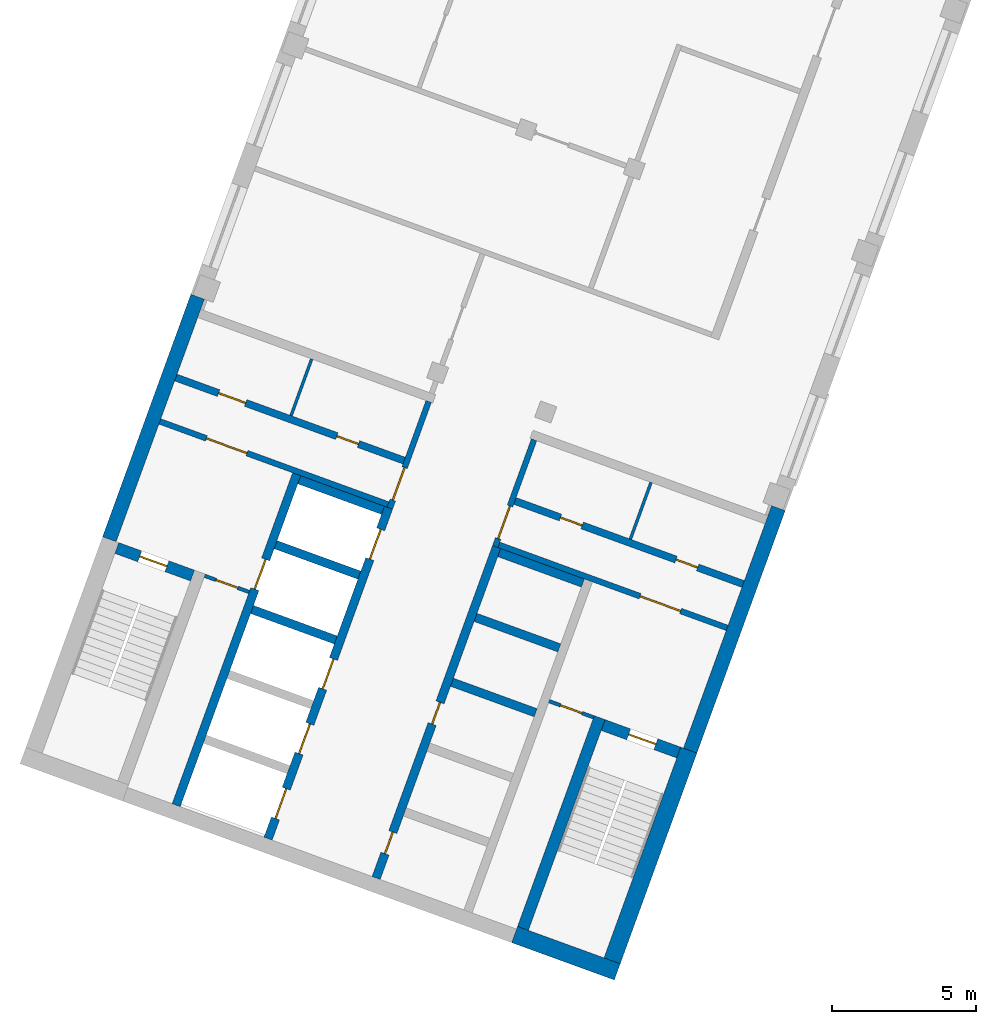
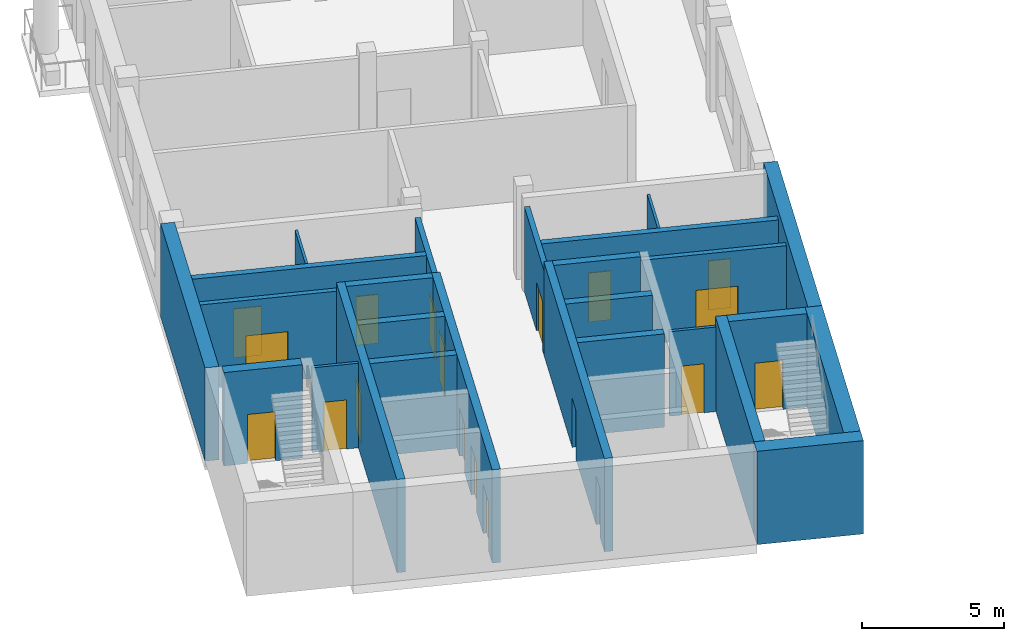
# One storey, part 2 of 10: 26 walls, 19 doors, 19 openings.
"""IFC4 building model written with IfcOpenShell, lengths in metres."""

from ifc_helpers import new_model, si_unit, direction, frame, frame_2d, origin, place, context, subcontext, project, spatial, rectangle, extrude, material, layer, layer_set, type_object, element, fill, save


model = new_model("IFC4")

# Units and contexts
model_context = context("Model", 3, precision=1e-05, world=origin(), true_north=direction((0.0, 1.0)))
body_context = subcontext(model_context, "Body", "Model", "MODEL_VIEW")
ifc_project = project(units=[si_unit("LENGTHUNIT", "METRE"), si_unit("AREAUNIT", "SQUARE_METRE"), si_unit("VOLUMEUNIT", "CUBIC_METRE"), si_unit("PLANEANGLEUNIT", "RADIAN"), si_unit("MASSUNIT", "GRAM", prefix="KILO")], contexts=[model_context])

# Site, building, storey
site_placement = place(None, origin())
site = spatial("IfcSite", under=ifc_project, at=site_placement, CompositionType="ELEMENT")
building_placement = place(site_placement, origin())
building = spatial("IfcBuilding", under=site, at=building_placement, Name="Skarvind Civic Tower", CompositionType="ELEMENT")
storey_placement = place(building_placement, frame((0.0, 0.0, 204.0)))
storey = spatial("IfcBuildingStorey", under=building, at=storey_placement, Name="L48", CompositionType="ELEMENT", Elevation=204.0)

# Wall, opening, door
ifc_material_1 = material(Name="Fire-rated masonry partition", Category="masonry")
ifc_layer_1 = layer(ifc_material_1, 0.199951171875)
ifc_layer_set_1 = layer_set([ifc_layer_1], Name="Core enclosure wall 200")
wall_type_1 = type_object("IfcWallType", Name="Core enclosure wall 200", PredefinedType="PARTITIONING", material=ifc_layer_set_1)
wall_1_placement = place(storey_placement, frame((31.42724609375, 93.663330078125, 0.0), z_axis=(0.0, 0.0, 1.0), x_axis=(0.342030870568, 0.93968871632, 0.0)))
wall_1 = element("IfcWall", 1, at=wall_1_placement, inside=storey, type_object=wall_type_1, Name="Core wall C2", PredefinedType="PARTITIONING", context=body_context, shape_type="SweptSolid", body=[
    extrude(rectangle(XDim=3.9501953125, YDim=0.199951171875, at=frame_2d((1.97509765625, 0.0))), origin(), (0.0, 0.0, 1.0), 3.625),
])
opening_1_placement = place(wall_1_placement, frame((0.300048828125, 0.0, 0.0)))
opening_1 = element("IfcOpeningElement", 2, at=opening_1_placement, cuts=wall_1, Name="Opening D-L48-C2-07", PredefinedType="OPENING", context=body_context, shape_type="SweptSolid", body=[
    extrude(rectangle(XDim=1.199951171875, YDim=2.10009765625, at=frame_2d((0.60009765625, 1.050048828125))), frame((0.0, 0.10986328125, 0.0), z_axis=(0.0, -1.0, 0.0), x_axis=(1.0, 0.0, 0.0)), (0.0, 0.0, 1.0), 0.219970703125),
])
ifc_material_2 = material(Name="Fire-rated steel door", Category="steel")
door_type_1 = type_object("IfcDoorType", Name="Core lobby door 1200", OperationType="NOTDEFINED", PredefinedType="DOOR", material=ifc_material_2)
door_1_placement = place(opening_1_placement, origin())
door_1 = element("IfcDoor", 3, at=door_1_placement, inside=storey, type_object=door_type_1, Name="Fire door", OperationType="DOUBLE_DOOR_SINGLE_SWING", OverallHeight=2.10009765625, OverallWidth=1.199951171875, PredefinedType="DOOR", context=body_context, shape_type="SweptSolid", body=[
    extrude(rectangle(XDim=1.199951171875, YDim=2.10009765625, at=frame_2d((0.60009765625, 1.050048828125))), frame((0.0, 0.02490234375, 0.0), z_axis=(0.0, -1.0, 0.0), x_axis=(1.0, 0.0, 0.0)), (0.0, 0.0, 1.0), 0.050048828125),
])
fill(opening_1, door_1)

wall_2_placement = place(storey_placement, frame((23.42724609375, 96.681640625, 0.0), z_axis=(0.0, 0.0, 1.0), x_axis=(0.939690465531, -0.342026064782, 0.0)))
wall_2 = element("IfcWall", 4, at=wall_2_placement, inside=storey, type_object=wall_type_1, Name="Core wall C2", PredefinedType="PARTITIONING", context=body_context, shape_type="SweptSolid", body=[
    extrude(rectangle(XDim=8.449951171875, YDim=0.199951171875, at=frame_2d((4.22509765625, 0.0))), origin(), (0.0, 0.0, 1.0), 3.625),
])
opening_2_placement = place(wall_2_placement, frame((1.72509765625, 0.0, 0.0)))
opening_2 = element("IfcOpeningElement", 5, at=opening_2_placement, cuts=wall_2, Name="Opening D-L48-C2-08", PredefinedType="OPENING", context=body_context, shape_type="SweptSolid", body=[
    extrude(rectangle(XDim=1.5, YDim=2.10009765625, at=frame_2d((0.75, 1.050048828125))), frame((0.0, 0.10986328125, 0.0), z_axis=(0.0, -1.0, 0.0), x_axis=(1.0, 0.0, 0.0)), (0.0, 0.0, 1.0), 0.219970703125),
])
door_type_2 = type_object("IfcDoorType", Name="Fire door 1500", OperationType="NOTDEFINED", PredefinedType="DOOR", material=ifc_material_2)
door_2_placement = place(opening_2_placement, origin())
door_2 = element("IfcDoor", 6, at=door_2_placement, inside=storey, type_object=door_type_2, Name="Fire door", OperationType="DOUBLE_DOOR_SINGLE_SWING", OverallHeight=2.10009765625, OverallWidth=1.5, PredefinedType="DOOR", context=body_context, shape_type="SweptSolid", body=[
    extrude(rectangle(XDim=1.5, YDim=2.10009765625, at=frame_2d((0.75, 1.050048828125))), frame((0.0, 0.02490234375, 0.0), z_axis=(0.0, -1.0, 0.0), x_axis=(1.0, 0.0, 0.0)), (0.0, 0.0, 1.0), 0.050048828125),
])
fill(opening_2, door_2)

wall_3_placement = place(storey_placement, frame((36.443115234375, 96.041259765625, 0.0), z_axis=(0.0, 0.0, 1.0), x_axis=(-0.341996156931, -0.939701350773, 0.0)))
wall_3 = element("IfcWall", 7, at=wall_3_placement, inside=storey, type_object=wall_type_1, Name="Core wall C2", PredefinedType="PARTITIONING", context=body_context, shape_type="SweptSolid", body=[
    extrude(rectangle(XDim=3.949951171875, YDim=0.199951171875, at=frame_2d((1.97509765625, 0.0))), origin(), (0.0, 0.0, 1.0), 3.625),
])
opening_3_placement = place(wall_3_placement, frame((2.449951171875, 0.0, 0.0)))
opening_3 = element("IfcOpeningElement", 8, at=opening_3_placement, cuts=wall_3, Name="Opening D-L48-C2-13", PredefinedType="OPENING", context=body_context, shape_type="SweptSolid", body=[
    extrude(rectangle(XDim=1.199951171875, YDim=2.10009765625, at=frame_2d((0.60009765625, 1.050048828125))), frame((0.0, 0.10986328125, 0.0), z_axis=(0.0, -1.0, 0.0), x_axis=(1.0, 0.0, 0.0)), (0.0, 0.0, 1.0), 0.219970703125),
])
door_3_placement = place(opening_3_placement, origin())
door_3 = element("IfcDoor", 9, at=door_3_placement, inside=storey, type_object=door_type_1, Name="Fire door", OperationType="DOUBLE_DOOR_SINGLE_SWING", OverallHeight=2.10009765625, OverallWidth=1.199951171875, PredefinedType="DOOR", context=body_context, shape_type="SweptSolid", body=[
    extrude(rectangle(XDim=1.199951171875, YDim=2.10009765625, at=frame_2d((0.60009765625, 1.050048828125))), frame((0.0, 0.02490234375, 0.0), z_axis=(0.0, -1.0, 0.0), x_axis=(1.0, 0.0, 0.0)), (0.0, 0.0, 1.0), 0.050048828125),
])
fill(opening_3, door_3)

wall_4_placement = place(storey_placement, frame((35.22021484375, 92.389404296875, 0.0), z_axis=(0.0, 0.0, 1.0), x_axis=(0.939690465531, -0.342026064782, 0.0)))
wall_4 = element("IfcWall", 10, at=wall_4_placement, inside=storey, type_object=wall_type_1, Name="Core wall C2", PredefinedType="PARTITIONING", context=body_context, shape_type="SweptSolid", body=[
    extrude(rectangle(XDim=8.449951171875, YDim=0.199951171875, at=frame_2d((4.22509765625, 0.0))), origin(), (0.0, 0.0, 1.0), 3.625),
])
opening_4_placement = place(wall_4_placement, frame((5.22509765625, 0.0, 0.0)))
opening_4 = element("IfcOpeningElement", 11, at=opening_4_placement, cuts=wall_4, Name="Opening D-L48-C2-14", PredefinedType="OPENING", context=body_context, shape_type="SweptSolid", body=[
    extrude(rectangle(XDim=1.5, YDim=2.10009765625, at=frame_2d((0.75, 1.050048828125))), frame((0.0, 0.10986328125, 0.0), z_axis=(0.0, -1.0, 0.0), x_axis=(1.0, 0.0, 0.0)), (0.0, 0.0, 1.0), 0.219970703125),
])
door_4_placement = place(opening_4_placement, origin())
door_4 = element("IfcDoor", 12, at=door_4_placement, inside=storey, type_object=door_type_2, Name="Fire door", OperationType="DOUBLE_DOOR_SINGLE_SWING", OverallHeight=2.10009765625, OverallWidth=1.5, PredefinedType="DOOR", context=body_context, shape_type="SweptSolid", body=[
    extrude(rectangle(XDim=1.5, YDim=2.10009765625, at=frame_2d((0.75, 1.050048828125))), frame((0.0, 0.02490234375, 0.0), z_axis=(0.0, -1.0, 0.0), x_axis=(1.0, 0.0, 0.0)), (0.0, 0.0, 1.0), 0.050048828125),
])
fill(opening_4, door_4)

# Walls
ifc_material_3 = material(Name="Fire-rated plasterboard partition")
ifc_layer_2 = layer(ifc_material_3, 0.10009765625)
ifc_layer_set_2 = layer_set([ifc_layer_2], Name="Core partition wall 100")
wall_type_2 = type_object("IfcWallType", Name="Core partition wall 100", PredefinedType="PARTITIONING", material=ifc_layer_set_2)
for number, where, z_axis, x_axis, name in (
    (13, (27.9912109375, 96.8828125, 0.0), (0.0, 0.0, 1.0), (0.342023078919, 0.939691552312, 0.0), "Core wall C2"),
    (14, (40.511962890625, 94.560302734375, 0.0), (0.0, 0.0, 1.0), (-0.342023078919, -0.939691552312, 0.0), "Core wall C2"),
):
    element("IfcWall", number, at=place(storey_placement, frame(where, z_axis=z_axis, x_axis=x_axis)), inside=storey, type_object=wall_type_2, Name=name, PredefinedType="PARTITIONING", context=body_context, shape_type="SweptSolid", body=[
        extrude(rectangle(XDim=2.10009765625, YDim=0.10009765625, at=frame_2d((1.050048828125, 0.0))), origin(), (0.0, 0.0, 1.0), 3.625),
    ])

# Wall, openings, doors
ifc_material_4 = material(Name="Concrete C60", Category="concrete")
ifc_layer_3 = layer(ifc_material_4, 0.300048828125)
ifc_layer_set_3 = layer_set([ifc_layer_3], Name="Core wall 300 C60")
wall_type_3 = type_object("IfcWallType", Name="Core wall 300 C60", PredefinedType="SHEAR", material=ifc_layer_set_3)
wall_5_placement = place(storey_placement, frame((30.949462890625, 80.80126953125, 0.0), z_axis=(0.0, 0.0, 1.0), x_axis=(0.342016684409, 0.939693879721, 0.0)))
wall_5 = element("IfcWall", 15, at=wall_5_placement, inside=storey, type_object=wall_type_3, Name="Core wall C2 south lift row front L48", PredefinedType="SHEAR", context=body_context, shape_type="SweptSolid", body=[
    extrude(rectangle(XDim=12.25, YDim=0.300048828125, at=frame_2d((6.125, 0.0))), origin(), (0.0, 0.0, 1.0), 4.0),
])
opening_5_placement = place(wall_5_placement, frame((0.89990234375, 0.0, 0.0)))
opening_5 = element("IfcOpeningElement", 16, at=opening_5_placement, cuts=wall_5, Name="Opening D-L48-C2-05", PredefinedType="OPENING", context=body_context, shape_type="SweptSolid", body=[
    extrude(rectangle(XDim=0.800048828125, YDim=2.10009765625, at=frame_2d((0.39990234375, 1.050048828125))), frame((0.0, 0.159912109375, 0.0), z_axis=(0.0, -1.0, 0.0), x_axis=(1.0, 0.0, 0.0)), (0.0, 0.0, 1.0), 0.320068359375),
])
opening_6_placement = place(wall_5_placement, frame((5.699951171875, 0.0, 0.0)))
opening_6 = element("IfcOpeningElement", 17, at=opening_6_placement, cuts=wall_5, Name="Opening D-L48-C2-06", PredefinedType="OPENING", context=body_context, shape_type="SweptSolid", body=[
    extrude(rectangle(XDim=0.800048828125, YDim=2.10009765625, at=frame_2d((0.39990234375, 1.050048828125))), frame((0.0, 0.159912109375, 0.0), z_axis=(0.0, -1.0, 0.0), x_axis=(1.0, 0.0, 0.0)), (0.0, 0.0, 1.0), 0.320068359375),
])
door_type_3 = type_object("IfcDoorType", Name="Core riser door 800", OperationType="NOTDEFINED", PredefinedType="DOOR", material=ifc_material_2)
door_5_placement = place(opening_5_placement, origin())
door_5 = element("IfcDoor", 18, at=door_5_placement, inside=storey, type_object=door_type_3, Name="Riser door", OperationType="SINGLE_SWING_LEFT", OverallHeight=2.10009765625, OverallWidth=0.800048828125, PredefinedType="DOOR", context=body_context, shape_type="SweptSolid", body=[
    extrude(rectangle(XDim=0.800048828125, YDim=2.10009765625, at=frame_2d((0.39990234375, 1.050048828125))), frame((0.0, 0.02490234375, 0.0), z_axis=(0.0, -1.0, 0.0), x_axis=(1.0, 0.0, 0.0)), (0.0, 0.0, 1.0), 0.050048828125),
])
fill(opening_5, door_5)
door_6_placement = place(opening_6_placement, origin())
door_6 = element("IfcDoor", 19, at=door_6_placement, inside=storey, type_object=door_type_3, Name="Riser door", OperationType="SINGLE_SWING_RIGHT", OverallHeight=2.10009765625, OverallWidth=0.800048828125, PredefinedType="DOOR", context=body_context, shape_type="SweptSolid", body=[
    extrude(rectangle(XDim=0.800048828125, YDim=2.10009765625, at=frame_2d((0.39990234375, 1.050048828125))), frame((0.0, 0.02490234375, 0.0), z_axis=(0.0, -1.0, 0.0), x_axis=(1.0, 0.0, 0.0)), (0.0, 0.0, 1.0), 0.050048828125),
])
fill(opening_6, door_6)

# Walls
for number, where, z_axis, x_axis, name in (
    (20, (36.500244140625, 86.54931640625, 0.0), (0.0, 0.0, 1.0), (-0.939689908313, 0.342027595692, 0.0), "Core wall C2 south lift row division 3 L48"),
    (21, (37.321044921875, 88.8046875, 0.0), (0.0, 0.0, 1.0), (-0.939689908313, 0.342027595692, 0.0), "Core wall C2 south lift row division 4 L48"),
    (22, (38.141845703125, 91.059814453125, 0.0), (0.0, 0.0, 1.0), (-0.939689908313, 0.342027595692, 0.0), "Core wall C2 south lift row division 5 L48"),
):
    element("IfcWall", number, at=place(storey_placement, frame(where, z_axis=z_axis, x_axis=x_axis)), inside=storey, type_object=wall_type_3, Name=name, PredefinedType="SHEAR", context=body_context, shape_type="SweptSolid", body=[
        extrude(rectangle(XDim=3.10009765625, YDim=0.300048828125, at=frame_2d((1.550048828125, 0.0))), origin(), (0.0, 0.0, 1.0), 4.0),
    ])

# Wall, openings, doors
wall_6_placement = place(storey_placement, frame((27.190673828125, 82.169189453125, 0.0), z_axis=(0.0, 0.0, 1.0), x_axis=(0.342016684409, 0.939693879721, 0.0)))
wall_6 = element("IfcWall", 23, at=wall_6_placement, inside=storey, type_object=wall_type_3, Name="Core wall C2 north lift row front L48", PredefinedType="SHEAR", context=body_context, shape_type="SweptSolid", body=[
    extrude(rectangle(XDim=12.25, YDim=0.300048828125, at=frame_2d((6.125, 0.0))), origin(), (0.0, 0.0, 1.0), 4.0),
])
opening_7_placement = place(wall_6_placement, frame((0.75, 0.0, 0.0)))
opening_7 = element("IfcOpeningElement", 24, at=opening_7_placement, cuts=wall_6, Name="Opening LD50201", PredefinedType="OPENING", context=body_context, shape_type="SweptSolid", body=[
    extrude(rectangle(XDim=1.10009765625, YDim=2.10009765625, at=frame_2d((0.550048828125, 1.050048828125))), frame((0.0, 0.159912109375, 0.0), z_axis=(0.0, -1.0, 0.0), x_axis=(1.0, 0.0, 0.0)), (0.0, 0.0, 1.0), 0.320068359375),
])
opening_8_placement = place(wall_6_placement, frame((3.14990234375, 0.0, 0.0)))
opening_8 = element("IfcOpeningElement", 25, at=opening_8_placement, cuts=wall_6, Name="Opening LD50202", PredefinedType="OPENING", context=body_context, shape_type="SweptSolid", body=[
    extrude(rectangle(XDim=1.10009765625, YDim=2.10009765625, at=frame_2d((0.550048828125, 1.050048828125))), frame((0.0, 0.159912109375, 0.0), z_axis=(0.0, -1.0, 0.0), x_axis=(1.0, 0.0, 0.0)), (0.0, 0.0, 1.0), 0.320068359375),
])
opening_9_placement = place(wall_6_placement, frame((5.550048828125, 0.0, 0.0)))
opening_9 = element("IfcOpeningElement", 26, at=opening_9_placement, cuts=wall_6, Name="Opening LD50203", PredefinedType="OPENING", context=body_context, shape_type="SweptSolid", body=[
    extrude(rectangle(XDim=1.10009765625, YDim=2.10009765625, at=frame_2d((0.550048828125, 1.050048828125))), frame((0.0, 0.159912109375, 0.0), z_axis=(0.0, -1.0, 0.0), x_axis=(1.0, 0.0, 0.0)), (0.0, 0.0, 1.0), 0.320068359375),
])
opening_10_placement = place(wall_6_placement, frame((10.35009765625, 0.0, 0.0)))
opening_10 = element("IfcOpeningElement", 27, at=opening_10_placement, cuts=wall_6, Name="Opening LD50205", PredefinedType="OPENING", context=body_context, shape_type="SweptSolid", body=[
    extrude(rectangle(XDim=1.10009765625, YDim=2.10009765625, at=frame_2d((0.550048828125, 1.050048828125))), frame((0.0, 0.159912109375, 0.0), z_axis=(0.0, -1.0, 0.0), x_axis=(1.0, 0.0, 0.0)), (0.0, 0.0, 1.0), 0.320068359375),
])
ifc_material_5 = material(Name="Stainless steel landing door", Category="steel")
door_type_4 = type_object("IfcDoorType", Name="Lift landing door 1100", OperationType="DOUBLE_DOOR_SLIDING", PredefinedType="DOOR", material=ifc_material_5)
door_7_placement = place(opening_7_placement, origin())
door_7 = element("IfcDoor", 28, at=door_7_placement, inside=storey, type_object=door_type_4, Name="Lift landing door", OperationType="DOUBLE_DOOR_SLIDING", OverallHeight=2.10009765625, OverallWidth=1.10009765625, PredefinedType="DOOR", context=body_context, shape_type="SweptSolid", body=[
    extrude(rectangle(XDim=1.10009765625, YDim=2.10009765625, at=frame_2d((0.550048828125, 1.050048828125))), frame((0.0, 0.02490234375, 0.0), z_axis=(0.0, -1.0, 0.0), x_axis=(1.0, 0.0, 0.0)), (0.0, 0.0, 1.0), 0.050048828125),
])
fill(opening_7, door_7)
door_8_placement = place(opening_8_placement, origin())
door_8 = element("IfcDoor", 29, at=door_8_placement, inside=storey, type_object=door_type_4, Name="Lift landing door", OperationType="DOUBLE_DOOR_SLIDING", OverallHeight=2.10009765625, OverallWidth=1.10009765625, PredefinedType="DOOR", context=body_context, shape_type="SweptSolid", body=[
    extrude(rectangle(XDim=1.10009765625, YDim=2.10009765625, at=frame_2d((0.550048828125, 1.050048828125))), frame((0.0, 0.02490234375, 0.0), z_axis=(0.0, -1.0, 0.0), x_axis=(1.0, 0.0, 0.0)), (0.0, 0.0, 1.0), 0.050048828125),
])
fill(opening_8, door_8)
door_9_placement = place(opening_9_placement, origin())
door_9 = element("IfcDoor", 30, at=door_9_placement, inside=storey, type_object=door_type_4, Name="Lift landing door", OperationType="DOUBLE_DOOR_SLIDING", OverallHeight=2.10009765625, OverallWidth=1.10009765625, PredefinedType="DOOR", context=body_context, shape_type="SweptSolid", body=[
    extrude(rectangle(XDim=1.10009765625, YDim=2.10009765625, at=frame_2d((0.550048828125, 1.050048828125))), frame((0.0, 0.02490234375, 0.0), z_axis=(0.0, -1.0, 0.0), x_axis=(1.0, 0.0, 0.0)), (0.0, 0.0, 1.0), 0.050048828125),
])
fill(opening_9, door_9)
door_10_placement = place(opening_10_placement, origin())
door_10 = element("IfcDoor", 31, at=door_10_placement, inside=storey, type_object=door_type_4, Name="Lift landing door", OperationType="DOUBLE_DOOR_SLIDING", OverallHeight=2.10009765625, OverallWidth=1.10009765625, PredefinedType="DOOR", context=body_context, shape_type="SweptSolid", body=[
    extrude(rectangle(XDim=1.10009765625, YDim=2.10009765625, at=frame_2d((0.550048828125, 1.050048828125))), frame((0.0, 0.02490234375, 0.0), z_axis=(0.0, -1.0, 0.0), x_axis=(1.0, 0.0, 0.0)), (0.0, 0.0, 1.0), 0.050048828125),
])
fill(opening_10, door_10)

# Wall, opening, door
wall_7_placement = place(storey_placement, frame((23.99560546875, 83.33203125, 0.0), z_axis=(0.0, 0.0, 1.0), x_axis=(0.342016684409, 0.939693879721, 0.0)))
wall_7 = element("IfcWall", 32, at=wall_7_placement, inside=storey, type_object=wall_type_3, Name="Core wall C2 north lift row back L48", PredefinedType="SHEAR", context=body_context, shape_type="SweptSolid", body=[
    extrude(rectangle(XDim=12.25, YDim=0.300048828125, at=frame_2d((6.125, 0.0))), origin(), (0.0, 0.0, 1.0), 4.0),
])
opening_11_placement = place(wall_7_placement, frame((8.0, 0.0, 0.0)))
opening_11 = element("IfcOpeningElement", 33, at=opening_11_placement, cuts=wall_7, Name="Opening LD50204", PredefinedType="OPENING", context=body_context, shape_type="SweptSolid", body=[
    extrude(rectangle(XDim=1.10009765625, YDim=2.10009765625, at=frame_2d((0.550048828125, 1.050048828125))), frame((0.0, 0.159912109375, 0.0), z_axis=(0.0, -1.0, 0.0), x_axis=(1.0, 0.0, 0.0)), (0.0, 0.0, 1.0), 0.320068359375),
])
door_11_placement = place(opening_11_placement, origin())
door_11 = element("IfcDoor", 34, at=door_11_placement, inside=storey, type_object=door_type_4, Name="Lift landing door", OperationType="DOUBLE_DOOR_SLIDING", OverallHeight=2.10009765625, OverallWidth=1.10009765625, PredefinedType="DOOR", context=body_context, shape_type="SweptSolid", body=[
    extrude(rectangle(XDim=1.10009765625, YDim=2.10009765625, at=frame_2d((0.550048828125, 1.050048828125))), frame((0.0, 0.02490234375, 0.0), z_axis=(0.0, -1.0, 0.0), x_axis=(1.0, 0.0, 0.0)), (0.0, 0.0, 1.0), 0.050048828125),
])
fill(opening_11, door_11)

# Walls
wall_8_placement = place(storey_placement, frame((29.54638671875, 89.080322265625, 0.0), z_axis=(0.0, 0.0, 1.0), x_axis=(-0.939689908313, 0.342027595692, 0.0)))
element("IfcWall", 35, at=wall_8_placement, inside=storey, type_object=wall_type_3, Name="Core wall C2 north lift row division 3 L48", PredefinedType="SHEAR", context=body_context, shape_type="SweptSolid", body=[
    extrude(rectangle(XDim=3.10009765625, YDim=0.300048828125, at=frame_2d((1.550048828125, 0.0))), origin(), (0.0, 0.0, 1.0), 4.0),
])
for number, where, z_axis, x_axis, name in (
    (36, (30.3671875, 91.335693359375, 0.0), (0.0, 0.0, 1.0), (-0.939715217871, 0.341958051961, 0.0), "Core wall C2 north lift row division 4 L48"),
    (37, (31.18798828125, 93.5908203125, 0.0), (0.0, 0.0, 1.0), (-0.939680694448, 0.342052908892, 0.0), "Core wall C2 north lift row division 5 L48"),
):
    element("IfcWall", number, at=place(storey_placement, frame(where, z_axis=z_axis, x_axis=x_axis)), inside=storey, type_object=wall_type_3, Name=name, PredefinedType="SHEAR", context=body_context, shape_type="SweptSolid", body=[
        extrude(rectangle(XDim=3.099853515625, YDim=0.300048828125, at=frame_2d((1.5498046875, 0.0))), origin(), (0.0, 0.0, 1.0), 4.0),
    ])
ifc_layer_4 = layer(ifc_material_4, 0.39990234375)
ifc_layer_set_4 = layer_set([ifc_layer_4], Name="Core wall 400 C60")
wall_type_4 = type_object("IfcWallType", Name="Core wall 400 C60", PredefinedType="SHEAR", material=ifc_layer_set_4)
wall_9_placement = place(storey_placement, frame((36.057861328125, 79.04833984375, 0.0), z_axis=(0.0, 0.0, 1.0), x_axis=(0.342016982193, 0.939693771338, 0.0)))
element("IfcWall", 38, at=wall_9_placement, inside=storey, type_object=wall_type_4, Name="Core wall C2 south stair inner L48", PredefinedType="SHEAR", context=body_context, shape_type="SweptSolid", body=[
    extrude(rectangle(XDim=7.800048828125, YDim=0.39990234375, at=frame_2d((3.89990234375, 0.0))), origin(), (0.0, 0.0, 1.0), 4.0),
])

# Wall, opening, door
wall_10_placement = place(storey_placement, frame((41.476318359375, 85.163818359375, 0.0), z_axis=(0.0, 0.0, 1.0), x_axis=(-0.939678810556, 0.342058084236, 0.0)))
wall_10 = element("IfcWall", 39, at=wall_10_placement, inside=storey, type_object=wall_type_4, Name="Core wall C2 south stair end L48", PredefinedType="SHEAR", context=body_context, shape_type="SweptSolid", body=[
    extrude(rectangle(XDim=2.800048828125, YDim=0.39990234375, at=frame_2d((1.39990234375, 0.0))), origin(), (0.0, 0.0, 1.0), 4.0),
])
opening_12_placement = place(wall_10_placement, frame((0.85009765625, 0.0, 0.0)))
opening_12 = element("IfcOpeningElement", 40, at=opening_12_placement, cuts=wall_10, Name="Opening D-L48-C2-15", PredefinedType="OPENING", context=body_context, shape_type="SweptSolid", body=[
    extrude(rectangle(XDim=1.0, YDim=2.10009765625, at=frame_2d((0.5, 1.050048828125))), frame((0.0, 0.2099609375, 0.0), z_axis=(0.0, -1.0, 0.0), x_axis=(1.0, 0.0, 0.0)), (0.0, 0.0, 1.0), 0.419921875),
])
door_type_5 = type_object("IfcDoorType", Name="Fire door 1000", OperationType="NOTDEFINED", PredefinedType="DOOR", material=ifc_material_2)
door_12_placement = place(opening_12_placement, origin())
door_12 = element("IfcDoor", 41, at=door_12_placement, inside=storey, type_object=door_type_5, Name="Fire door", OperationType="SINGLE_SWING_RIGHT", OverallHeight=2.10009765625, OverallWidth=1.0, PredefinedType="DOOR", context=body_context, shape_type="SweptSolid", body=[
    extrude(rectangle(XDim=1.0, YDim=2.10009765625, at=frame_2d((0.5, 1.050048828125))), frame((0.0, 0.02490234375, 0.0), z_axis=(0.0, -1.0, 0.0), x_axis=(1.0, 0.0, 0.0)), (0.0, 0.0, 1.0), 0.050048828125),
])
fill(opening_12, door_12)

wall_11_placement = place(storey_placement, frame((24.56201171875, 91.3203125, 0.0), z_axis=(0.0, 0.0, 1.0), x_axis=(-0.939717030584, 0.341953070509, 0.0)))
wall_11 = element("IfcWall", 42, at=wall_11_placement, inside=storey, type_object=wall_type_4, Name="Core wall C2 north stair end L48", PredefinedType="SHEAR", context=body_context, shape_type="SweptSolid", body=[
    extrude(rectangle(XDim=2.800048828125, YDim=0.39990234375, at=frame_2d((1.39990234375, 0.0))), origin(), (0.0, 0.0, 1.0), 4.0),
])
opening_13_placement = place(wall_11_placement, frame((0.949951171875, 0.0, 0.0)))
opening_13 = element("IfcOpeningElement", 43, at=opening_13_placement, cuts=wall_11, Name="Opening D-L48-C2-09", PredefinedType="OPENING", context=body_context, shape_type="SweptSolid", body=[
    extrude(rectangle(XDim=1.0, YDim=2.10009765625, at=frame_2d((0.5, 1.050048828125))), frame((0.0, 0.2099609375, 0.0), z_axis=(0.0, -1.0, 0.0), x_axis=(1.0, 0.0, 0.0)), (0.0, 0.0, 1.0), 0.419921875),
])
door_13_placement = place(opening_13_placement, origin())
door_13 = element("IfcDoor", 44, at=door_13_placement, inside=storey, type_object=door_type_5, Name="Fire door", OperationType="SINGLE_SWING_LEFT", OverallHeight=2.10009765625, OverallWidth=1.0, PredefinedType="DOOR", context=body_context, shape_type="SweptSolid", body=[
    extrude(rectangle(XDim=1.0, YDim=2.10009765625, at=frame_2d((0.5, 1.050048828125))), frame((0.0, 0.02490234375, 0.0), z_axis=(0.0, -1.0, 0.0), x_axis=(1.0, 0.0, 0.0)), (0.0, 0.0, 1.0), 0.050048828125),
])
fill(opening_13, door_13)

# Walls
ifc_layer_5 = layer(ifc_material_4, 0.5)
ifc_layer_set_5 = layer_set([ifc_layer_5], Name="Core wall 500 C60")
wall_type_5 = type_object("IfcWallType", Name="Core wall 500 C60", PredefinedType="SHEAR", material=ifc_layer_set_5)
wall_12_placement = place(storey_placement, frame((41.873779296875, 85.232177734375, 0.0), z_axis=(0.0, 0.0, 1.0), x_axis=(0.342020437038, 0.939692513883, 0.0)))
element("IfcWall", 45, at=wall_12_placement, inside=storey, type_object=wall_type_5, Name="Core wall C2 south side L48", PredefinedType="SHEAR", context=body_context, shape_type="SweptSolid", body=[
    extrude(rectangle(XDim=8.974853515625, YDim=0.5, at=frame_2d((4.4873046875, 0.0))), origin(), (0.0, 0.0, 1.0), 4.0),
])
wall_13_placement = place(storey_placement, frame((21.670166015625, 92.58544921875, 0.0), z_axis=(0.0, 0.0, 1.0), x_axis=(0.342035714298, 0.93968695327, 0.0)))
element("IfcWall", 46, at=wall_13_placement, inside=storey, type_object=wall_type_5, Name="Core wall C2 north side L48", PredefinedType="SHEAR", context=body_context, shape_type="SweptSolid", body=[
    extrude(rectangle(XDim=8.97509765625, YDim=0.5, at=frame_2d((4.487548828125, 0.0))), origin(), (0.0, 0.0, 1.0), 4.0),
])
ifc_layer_6 = layer(ifc_material_4, 0.60009765625)
ifc_layer_set_6 = layer_set([ifc_layer_6], Name="Core wall 600 C60")
wall_type_6 = type_object("IfcWallType", Name="Core wall 600 C60", PredefinedType="SHEAR", material=ifc_layer_set_6)
wall_14_placement = place(storey_placement, frame((39.338134765625, 77.53515625, 0.0), z_axis=(0.0, 0.0, 1.0), x_axis=(-0.939701471648, 0.341995824804, 0.0)))
element("IfcWall", 47, at=wall_14_placement, inside=storey, type_object=wall_type_6, Name="Core wall C2 tip at the south stair L48", PredefinedType="SHEAR", context=body_context, shape_type="SweptSolid", body=[
    extrude(rectangle(XDim=3.800048828125, YDim=0.60009765625, at=frame_2d((1.89990234375, 0.0))), origin(), (0.0, 0.0, 1.0), 4.0),
])
wall_15_placement = place(storey_placement, frame((39.158935546875, 77.919677734375, 0.0), z_axis=(0.0, 0.0, 1.0), x_axis=(0.342016982193, 0.939693771338, 0.0)))
element("IfcWall", 48, at=wall_15_placement, inside=storey, type_object=wall_type_6, Name="Core wall C2 south side at the stair L48", PredefinedType="SHEAR", context=body_context, shape_type="SweptSolid", body=[
    extrude(rectangle(XDim=7.800048828125, YDim=0.60009765625, at=frame_2d((3.89990234375, 0.0))), origin(), (0.0, 0.0, 1.0), 4.0),
])

# Wall, opening, door
ifc_layer_7 = layer(ifc_material_1, 0.125)
ifc_layer_set_7 = layer_set([ifc_layer_7], Name="Riser wall 125")
wall_type_7 = type_object("IfcWallType", Name="Riser wall 125", PredefinedType="PARTITIONING", material=ifc_layer_set_7)
wall_16_placement = place(storey_placement, frame((24.98486328125, 91.3125, 0.0), z_axis=(0.0, 0.0, 1.0), x_axis=(0.939719959755, -0.341945020783, 0.0)))
wall_16 = element("IfcWall", 49, at=wall_16_placement, inside=storey, type_object=wall_type_7, Name="Core wall C2", PredefinedType="PARTITIONING", context=body_context, shape_type="SweptSolid", body=[
    extrude(rectangle(XDim=1.64990234375, YDim=0.125, at=frame_2d((0.824951171875, 0.0))), origin(), (0.0, 0.0, 1.0), 3.625),
])
opening_14_placement = place(wall_16_placement, frame((0.425048828125, 0.0, 0.0)))
opening_14 = element("IfcOpeningElement", 50, at=opening_14_placement, cuts=wall_16, Name="Opening D-L48-C2-10", PredefinedType="OPENING", context=body_context, shape_type="SweptSolid", body=[
    extrude(rectangle(XDim=0.800048828125, YDim=2.10009765625, at=frame_2d((0.39990234375, 1.050048828125))), frame((0.0, 0.072509765625, 0.0), z_axis=(0.0, -1.0, 0.0), x_axis=(1.0, 0.0, 0.0)), (0.0, 0.0, 1.0), 0.14501953125),
])
door_14_placement = place(opening_14_placement, origin())
door_14 = element("IfcDoor", 51, at=door_14_placement, inside=storey, type_object=door_type_3, Name="Riser door", OperationType="SINGLE_SWING_RIGHT", OverallHeight=2.10009765625, OverallWidth=0.800048828125, PredefinedType="DOOR", context=body_context, shape_type="SweptSolid", body=[
    extrude(rectangle(XDim=0.800048828125, YDim=2.10009765625, at=frame_2d((0.39990234375, 1.050048828125))), frame((0.0, 0.02490234375, 0.0), z_axis=(0.0, -1.0, 0.0), x_axis=(1.0, 0.0, 0.0)), (0.0, 0.0, 1.0), 0.050048828125),
])
fill(opening_14, door_14)

wall_17_placement = place(storey_placement, frame((36.9658203125, 86.951904296875, 0.0), z_axis=(0.0, 0.0, 1.0), x_axis=(0.939672407396, -0.342075674051, 0.0)))
wall_17 = element("IfcWall", 52, at=wall_17_placement, inside=storey, type_object=wall_type_7, Name="Core wall C2", PredefinedType="PARTITIONING", context=body_context, shape_type="SweptSolid", body=[
    extrude(rectangle(XDim=1.650146484375, YDim=0.125, at=frame_2d((0.8251953125, 0.0))), origin(), (0.0, 0.0, 1.0), 3.625),
])
opening_15_placement = place(wall_17_placement, frame((0.425048828125, 0.0, 0.0)))
opening_15 = element("IfcOpeningElement", 53, at=opening_15_placement, cuts=wall_17, Name="Opening D-L48-C2-16", PredefinedType="OPENING", context=body_context, shape_type="SweptSolid", body=[
    extrude(rectangle(XDim=0.800048828125, YDim=2.10009765625, at=frame_2d((0.39990234375, 1.050048828125))), frame((0.0, 0.072509765625, 0.0), z_axis=(0.0, -1.0, 0.0), x_axis=(1.0, 0.0, 0.0)), (0.0, 0.0, 1.0), 0.14501953125),
])
door_15_placement = place(opening_15_placement, origin())
door_15 = element("IfcDoor", 54, at=door_15_placement, inside=storey, type_object=door_type_3, Name="Riser door", OperationType="SINGLE_SWING_LEFT", OverallHeight=2.10009765625, OverallWidth=0.800048828125, PredefinedType="DOOR", context=body_context, shape_type="SweptSolid", body=[
    extrude(rectangle(XDim=0.800048828125, YDim=2.10009765625, at=frame_2d((0.39990234375, 1.050048828125))), frame((0.0, 0.02490234375, 0.0), z_axis=(0.0, -1.0, 0.0), x_axis=(1.0, 0.0, 0.0)), (0.0, 0.0, 1.0), 0.050048828125),
])
fill(opening_15, door_15)

# Wall, openings, doors
ifc_layer_8 = layer(ifc_material_1, 0.25)
ifc_layer_set_8 = layer_set([ifc_layer_8], Name="Service block wall 250")
wall_type_8 = type_object("IfcWallType", Name="Service block wall 250", PredefinedType="PARTITIONING", material=ifc_layer_set_8)
wall_18_placement = place(storey_placement, frame((23.98291015625, 98.20849609375, 0.0), z_axis=(0.0, 0.0, 1.0), x_axis=(0.939699751196, -0.342000552051, 0.0)))
wall_18 = element("IfcWall", 55, at=wall_18_placement, inside=storey, type_object=wall_type_8, Name="Core wall C2", PredefinedType="PARTITIONING", context=body_context, shape_type="SweptSolid", body=[
    extrude(rectangle(XDim=8.449951171875, YDim=0.25, at=frame_2d((4.22509765625, 0.0))), origin(), (0.0, 0.0, 1.0), 3.625),
])
opening_16_placement = place(wall_18_placement, frame((5.9599609375, 0.0, 0.0)))
opening_16 = element("IfcOpeningElement", 56, at=opening_16_placement, cuts=wall_18, Name="Opening D-L48-C2-11", PredefinedType="OPENING", context=body_context, shape_type="SweptSolid", body=[
    extrude(rectangle(XDim=0.800048828125, YDim=2.10009765625, at=frame_2d((0.39990234375, 1.050048828125))), frame((0.0, 0.135009765625, 0.0), z_axis=(0.0, -1.0, 0.0), x_axis=(1.0, 0.0, 0.0)), (0.0, 0.0, 1.0), 0.27001953125),
])
opening_17_placement = place(wall_18_placement, frame((1.5849609375, 0.0, 0.0)))
opening_17 = element("IfcOpeningElement", 57, at=opening_17_placement, cuts=wall_18, Name="Opening D-L48-C2-12", PredefinedType="OPENING", context=body_context, shape_type="SweptSolid", body=[
    extrude(rectangle(XDim=1.0, YDim=2.10009765625, at=frame_2d((0.5, 1.050048828125))), frame((0.0, 0.135009765625, 0.0), z_axis=(0.0, -1.0, 0.0), x_axis=(1.0, 0.0, 0.0)), (0.0, 0.0, 1.0), 0.27001953125),
])
door_16_placement = place(opening_16_placement, origin())
door_16 = element("IfcDoor", 58, at=door_16_placement, inside=storey, type_object=door_type_3, Name="Riser door", OperationType="SINGLE_SWING_LEFT", OverallHeight=2.10009765625, OverallWidth=0.800048828125, PredefinedType="DOOR", context=body_context, shape_type="SweptSolid", body=[
    extrude(rectangle(XDim=0.800048828125, YDim=2.10009765625, at=frame_2d((0.39990234375, 1.050048828125))), frame((0.0, 0.02490234375, 0.0), z_axis=(0.0, -1.0, 0.0), x_axis=(1.0, 0.0, 0.0)), (0.0, 0.0, 1.0), 0.050048828125),
])
fill(opening_16, door_16)
door_17_placement = place(opening_17_placement, origin())
door_17 = element("IfcDoor", 59, at=door_17_placement, inside=storey, type_object=door_type_5, Name="Fire door", OperationType="SINGLE_SWING_RIGHT", OverallHeight=2.10009765625, OverallWidth=1.0, PredefinedType="DOOR", context=body_context, shape_type="SweptSolid", body=[
    extrude(rectangle(XDim=1.0, YDim=2.10009765625, at=frame_2d((0.5, 1.050048828125))), frame((0.0, 0.02490234375, 0.0), z_axis=(0.0, -1.0, 0.0), x_axis=(1.0, 0.0, 0.0)), (0.0, 0.0, 1.0), 0.050048828125),
])
fill(opening_17, door_17)

wall_19_placement = place(storey_placement, frame((35.776123046875, 93.916259765625, 0.0), z_axis=(0.0, 0.0, 1.0), x_axis=(0.939690465531, -0.342026064782, 0.0)))
wall_19 = element("IfcWall", 60, at=wall_19_placement, inside=storey, type_object=wall_type_8, Name="Core wall C2", PredefinedType="PARTITIONING", context=body_context, shape_type="SweptSolid", body=[
    extrude(rectangle(XDim=8.449951171875, YDim=0.25, at=frame_2d((4.22509765625, 0.0))), origin(), (0.0, 0.0, 1.0), 3.625),
])
opening_18_placement = place(wall_19_placement, frame((1.68994140625, 0.0, 0.0)))
opening_18 = element("IfcOpeningElement", 61, at=opening_18_placement, cuts=wall_19, Name="Opening D-L48-C2-17", PredefinedType="OPENING", context=body_context, shape_type="SweptSolid", body=[
    extrude(rectangle(XDim=0.800048828125, YDim=2.10009765625, at=frame_2d((0.39990234375, 1.050048828125))), frame((0.0, 0.135009765625, 0.0), z_axis=(0.0, -1.0, 0.0), x_axis=(1.0, 0.0, 0.0)), (0.0, 0.0, 1.0), 0.27001953125),
])
opening_19_placement = place(wall_19_placement, frame((5.965087890625, 0.0, 0.0)))
opening_19 = element("IfcOpeningElement", 62, at=opening_19_placement, cuts=wall_19, Name="Opening D-L48-C2-18", PredefinedType="OPENING", context=body_context, shape_type="SweptSolid", body=[
    extrude(rectangle(XDim=0.800048828125, YDim=2.10009765625, at=frame_2d((0.39990234375, 1.050048828125))), frame((0.0, 0.135009765625, 0.0), z_axis=(0.0, -1.0, 0.0), x_axis=(1.0, 0.0, 0.0)), (0.0, 0.0, 1.0), 0.27001953125),
])
door_18_placement = place(opening_18_placement, origin())
door_18 = element("IfcDoor", 63, at=door_18_placement, inside=storey, type_object=door_type_3, Name="Riser door", OperationType="SINGLE_SWING_RIGHT", OverallHeight=2.10009765625, OverallWidth=0.800048828125, PredefinedType="DOOR", context=body_context, shape_type="SweptSolid", body=[
    extrude(rectangle(XDim=0.800048828125, YDim=2.10009765625, at=frame_2d((0.39990234375, 1.050048828125))), frame((0.0, 0.02490234375, 0.0), z_axis=(0.0, -1.0, 0.0), x_axis=(1.0, 0.0, 0.0)), (0.0, 0.0, 1.0), 0.050048828125),
])
fill(opening_18, door_18)
door_19_placement = place(opening_19_placement, origin())
door_19 = element("IfcDoor", 64, at=door_19_placement, inside=storey, type_object=door_type_3, Name="Riser door", OperationType="SINGLE_SWING_LEFT", OverallHeight=2.10009765625, OverallWidth=0.800048828125, PredefinedType="DOOR", context=body_context, shape_type="SweptSolid", body=[
    extrude(rectangle(XDim=0.800048828125, YDim=2.10009765625, at=frame_2d((0.39990234375, 1.050048828125))), frame((0.0, 0.02490234375, 0.0), z_axis=(0.0, -1.0, 0.0), x_axis=(1.0, 0.0, 0.0)), (0.0, 0.0, 1.0), 0.050048828125),
])
fill(opening_19, door_19)

save(model, "model.ifc")
